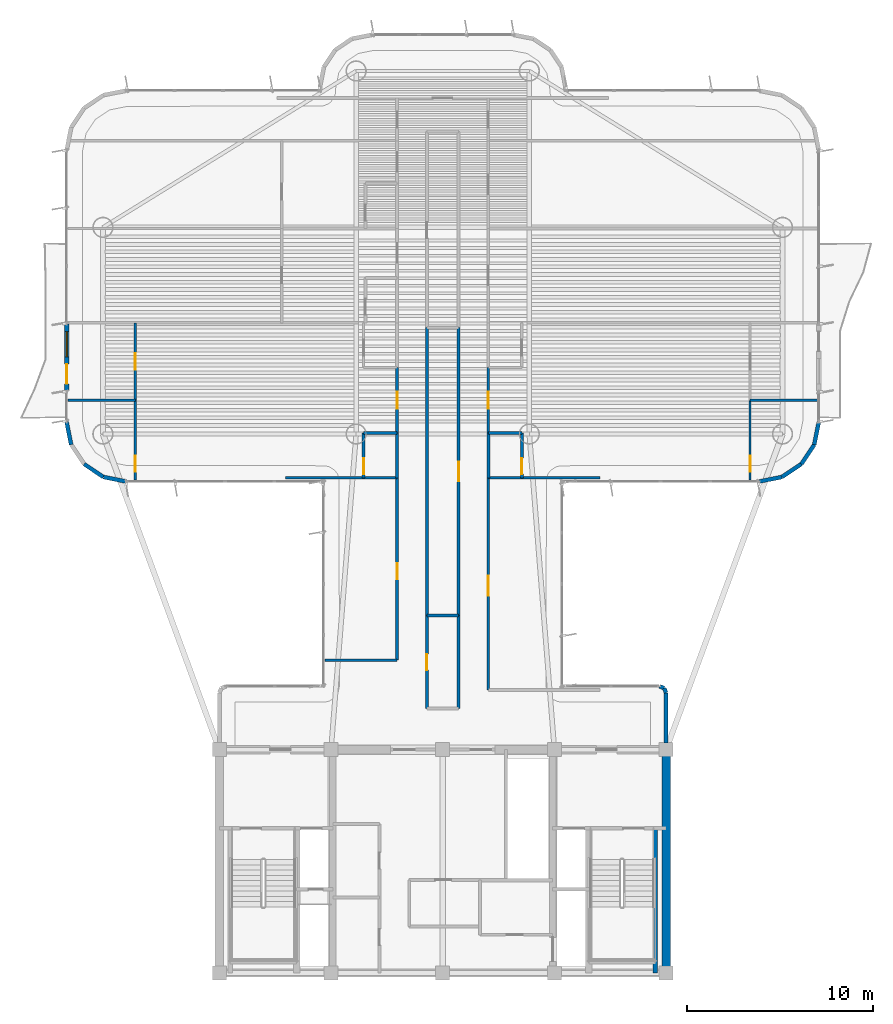
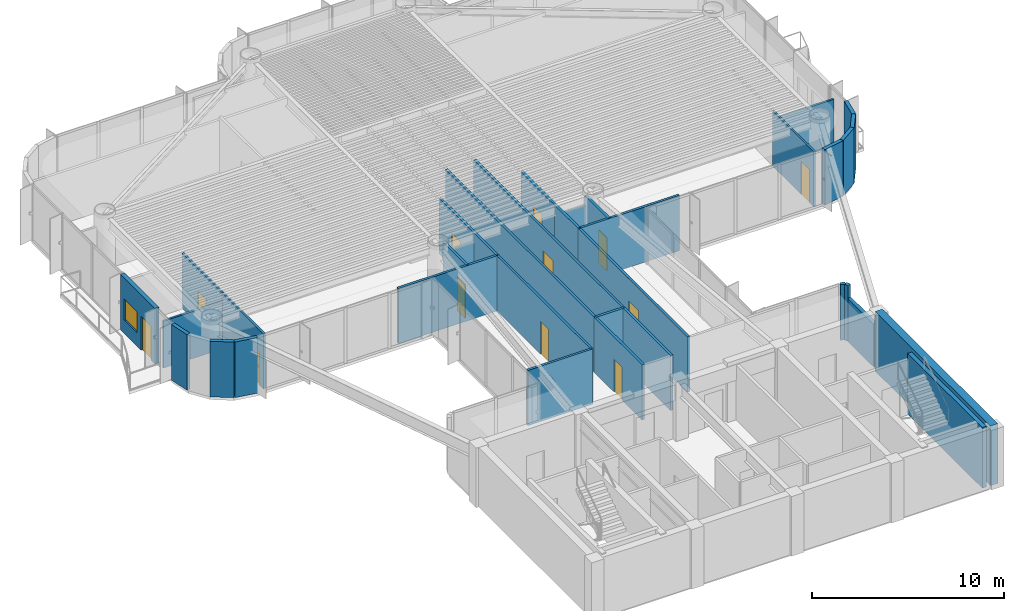
# One storey, part 10 of 14: 36 walls, 12 doors, 1 window, 13 openings.
"""IFC4 building model written with IfcOpenShell, lengths in metres."""

from ifc_helpers import new_model, si_unit, direction, frame, frame_2d, origin, origin_2d, place, context, subcontext, project, spatial, rectangle, extrude, source, transform, mapped, material, layer, layer_set, type_object, element, fill, save


model = new_model("IFC4")

# Units and contexts
model_context = context("Model", 3, precision=1e-05, world=origin(), true_north=direction((0.0, 1.0)))
body_context = subcontext(model_context, "Body", "Model", "MODEL_VIEW")
ifc_project = project(units=[si_unit("LENGTHUNIT", "METRE"), si_unit("AREAUNIT", "SQUARE_METRE"), si_unit("VOLUMEUNIT", "CUBIC_METRE"), si_unit("PLANEANGLEUNIT", "RADIAN"), si_unit("MASSUNIT", "GRAM", prefix="KILO")], contexts=[model_context])

# Site, building, storey
site_placement = place(None, origin())
site = spatial("IfcSite", under=ifc_project, at=site_placement, CompositionType="ELEMENT")
building_placement = place(site_placement, origin())
building = spatial("IfcBuilding", under=site, at=building_placement, Name="Brelvock Crest Care Tower", CompositionType="ELEMENT")
storey_placement = place(building_placement, frame((0.0, 0.0, 205.56005859375)))
storey = spatial("IfcBuildingStorey", under=building, at=storey_placement, Name="L52", CompositionType="ELEMENT", Elevation=205.56005859375)

# Walls
ifc_material_1 = material(Name="Concrete S65 (65 MPa)", Category="concrete")
ifc_layer_1 = layer(ifc_material_1, 0.449951171875, Name="WL-CS3")
ifc_layer_set_1 = layer_set([ifc_layer_1], Name="Concrete S65 (65 MPa)")
wall_type_1 = type_object("IfcWallType", Name="WL-CS3", PredefinedType="SHEAR", material=ifc_layer_set_1)
wall_1_placement = place(storey_placement, frame((48.0, 18.0, 0.0), z_axis=(0.0, 0.0, 1.0), x_axis=(0.0, -1.0, 0.0)))
element("IfcWall", 1, at=wall_1_placement, inside=storey, type_object=wall_type_1, Name="L52 Core East Shear Wall", PredefinedType="SHEAR", context=body_context, shape_type="SweptSolid", body=[
    extrude(rectangle(XDim=12.0, YDim=0.449951171875, at=frame_2d((6.0, 0.0))), origin(), (0.0, 0.0, 1.0), 3.780029296875),
])
ifc_material_2 = material(Name="Concrete S80 (80 MPa)", Category="concrete")
ifc_layer_2 = layer(ifc_material_2, 0.25, Name="WL-CS6")
ifc_layer_set_2 = layer_set([ifc_layer_2], Name="Concrete S80 (80 MPa)")
wall_type_2 = type_object("IfcWallType", Name="WL-CS6", PredefinedType="SHEAR", material=ifc_layer_set_2)
wall_2_placement = place(storey_placement, frame((47.419921875, 6.0, 0.0), z_axis=(0.0, 0.0, 1.0), x_axis=(0.0, 1.0, 0.0)))
element("IfcWall", 2, at=wall_2_placement, inside=storey, type_object=wall_type_2, Name="L52 Core Stair ST-2 East Shear Wall", PredefinedType="SHEAR", context=body_context, shape_type="SweptSolid", body=[
    extrude(rectangle(XDim=7.780029296875, YDim=0.25, at=frame_2d((3.89013671875, 0.0))), origin(), (0.0, 0.0, 1.0), 3.849853515625),
])

# Wall, openings, door, window
ifc_material_3 = material(Name="Precast concrete N40 (40 MPa)", Category="concrete")
ifc_layer_3 = layer(ifc_material_3, 0.239990234375, Name="WL-EX1")
ifc_layer_set_3 = layer_set([ifc_layer_3], Name="Precast concrete N40 (40 MPa)")
wall_type_3 = type_object("IfcWallType", Name="WL-EX1", PredefinedType="SOLIDWALL", material=ifc_layer_set_3)
wall_3_placement = place(storey_placement, frame((15.800048828125, 37.25, 0.0), z_axis=(0.0, 0.0, 1.0), x_axis=(0.0, 1.0, 0.0)))
wall_3 = element("IfcWall", 3, at=wall_3_placement, inside=storey, type_object=wall_type_3, Name="L52 Exterior Spandrel Wall WL-BAL-L52-W", PredefinedType="SOLIDWALL", context=body_context, shape_type="SweptSolid", body=[
    extrude(rectangle(XDim=3.60009765625, YDim=0.239990234375, at=frame_2d((1.800048828125, 0.0))), origin(), (0.0, 0.0, 1.0), 3.530029296875),
])
opening_1_placement = place(wall_3_placement, frame((0.39990234375, 0.0, 0.0)))
opening_1 = element("IfcOpeningElement", 4, at=opening_1_placement, cuts=wall_3, Name="Opening BD-1", PredefinedType="OPENING", context=body_context, shape_type="SweptSolid", body=[
    extrude(rectangle(XDim=1.050048828125, YDim=2.14990234375, at=origin_2d()), frame((0.52490234375, 0.1298828125, 1.074951171875), z_axis=(0.0, -1.0, 0.0), x_axis=(1.0, 0.0, 0.0)), (0.0, 0.0, 1.0), 0.260009765625),
])
opening_2_placement = place(wall_3_placement, frame((1.85009765625, 0.0, 0.85009765625)))
opening_2 = element("IfcOpeningElement", 5, at=opening_2_placement, cuts=wall_3, Name="Opening W-01", PredefinedType="OPENING", context=body_context, shape_type="SweptSolid", body=[
    extrude(rectangle(XDim=1.35009765625, YDim=1.35009765625, at=origin_2d()), frame((0.675048828125, 0.1298828125, 0.675048828125), z_axis=(0.0, -1.0, 0.0), x_axis=(1.0, 0.0, 0.0)), (0.0, 0.0, 1.0), 0.260009765625),
])
ifc_material_4 = material(Name="Dark Glass Double Glazed Low-E", Category="glass")
door_type_1 = type_object("IfcDoorType", Name="DR-BAL1", OperationType="NOTDEFINED", PredefinedType="DOOR", material=ifc_material_4)
shared_shape_1 = source(origin(), body_context, "Body", "SweptSolid", [
    extrude(rectangle(XDim=1.050048828125, YDim=2.14990234375, at=origin_2d()), frame((0.52490234375, 0.02490234375, 1.074951171875), z_axis=(0.0, -1.0, 0.0), x_axis=(1.0, 0.0, 0.0)), (0.0, 0.0, 1.0), 0.050048828125),
])
door_1_placement = place(opening_1_placement, origin())
door_1 = element("IfcDoor", 6, at=door_1_placement, inside=storey, type_object=door_type_1, Name="L52 W Wave Balcony Glazed Door", OperationType="SINGLE_SWING_LEFT", OverallHeight=2.14990234375, OverallWidth=1.050048828125, PredefinedType="DOOR", context=body_context, shape_type="MappedRepresentation", body=[
    mapped(shared_shape_1, transform((0.0, 0.0, 0.0), x_axis=(1.0, 0.0, 0.0), y_axis=(0.0, 1.0, 0.0), z_axis=(0.0, 0.0, 1.0), scale=1.0)),
])
fill(opening_1, door_1)
window_type = type_object("IfcWindowType", Name="WN-EX1", PartitioningType="SINGLE_PANEL", PredefinedType="WINDOW", material=ifc_material_4)
shared_shape_2 = source(origin(), body_context, "Body", "SweptSolid", [
    extrude(rectangle(XDim=1.35009765625, YDim=1.35009765625, at=origin_2d()), frame((0.675048828125, 0.030029296875, 0.675048828125), z_axis=(0.0, -1.0, 0.0), x_axis=(1.0, 0.0, 0.0)), (0.0, 0.0, 1.0), 0.06005859375),
])
window_placement = place(opening_2_placement, origin())
window = element("IfcWindow", 7, at=window_placement, inside=storey, type_object=window_type, Name="L52 W Suite Casement Window", OverallHeight=1.35009765625, OverallWidth=1.35009765625, PartitioningType="SINGLE_PANEL", PredefinedType="WINDOW", context=body_context, shape_type="MappedRepresentation", body=[
    mapped(shared_shape_2, transform((0.0, 0.0, 0.0), x_axis=(1.0, 0.0, 0.0), y_axis=(0.0, 1.0, 0.0), z_axis=(0.0, 0.0, 1.0), scale=1.0)),
])
fill(opening_2, window)

# Walls
ifc_layer_4 = layer(ifc_material_3, 0.215087890625, Name="WL-EX2")
ifc_layer_set_4 = layer_set([ifc_layer_4], Name="Precast concrete N40 (40 MPa)")
wall_type_4 = type_object("IfcWallType", Name="WL-EX2", PredefinedType="SOLIDWALL", material=ifc_layer_set_4)
wall_4_placement = place(storey_placement, frame((47.8974609375, 21.297607421875, 0.0), z_axis=(0.0, 0.0, 1.0), x_axis=(0.382673670509, -0.923883575944, 0.0)))
element("IfcWall", 8, at=wall_4_placement, inside=storey, type_object=wall_type_4, Name="L52 Rounded Corner Wall 00", PredefinedType="SOLIDWALL", context=body_context, shape_type="SweptSolid", body=[
    extrude(rectangle(XDim=0.26806640625, YDim=0.215087890625, at=frame_2d((0.134033203125, 0.0))), origin(), (0.0, 0.0, 1.0), 3.530029296875),
])
wall_5_placement = place(storey_placement, frame((48.0, 21.050048828125, 0.0), z_axis=(0.0, 0.0, 1.0), x_axis=(0.0, -1.0, 0.0)))
element("IfcWall", 9, at=wall_5_placement, inside=storey, type_object=wall_type_4, Name="L52 Rounded Corner Wall 01", PredefinedType="SOLIDWALL", context=body_context, shape_type="SweptSolid", body=[
    extrude(rectangle(XDim=2.695068359375, YDim=0.215087890625, at=frame_2d((1.34765625, 0.0))), origin(), (0.0, 0.0, 1.0), 2.718017578125),
])
for number, where, z_axis, x_axis, name in (
    (10, (19.0, 32.39990234375, 0.0), (0.0, 0.0, 1.0), (-0.980775717779, 0.195138390419, 0.0), "L52 Rounded Corner Wall 13"),
    (11, (17.775390625, 32.6435546875, 0.0), (0.0, 0.0, 1.0), (-0.831387912822, 0.555692485475, 0.0), "L52 Rounded Corner Wall 14"),
    (12, (16.043701171875, 34.37548828125, 0.0), (0.0, 0.0, 1.0), (-0.195138390419, 0.980775717779, 0.0), "L52 Rounded Corner Wall 16"),
    (13, (56.199951171875, 35.60009765625, 0.0), (0.0, 0.0, 1.0), (-0.195138390419, -0.980775717779, 0.0), "L52 Rounded Corner Wall 40"),
    (14, (55.956298828125, 34.37548828125, 0.0), (0.0, 0.0, 1.0), (-0.555557312883, -0.831478245117, 0.0), "L52 Rounded Corner Wall 41"),
    (15, (55.2626953125, 33.33740234375, 0.0), (0.0, 0.0, 1.0), (-0.831387912822, -0.555692485475, 0.0), "L52 Rounded Corner Wall 42"),
    (16, (54.224609375, 32.6435546875, 0.0), (0.0, 0.0, 1.0), (-0.980775717779, -0.195138390419, 0.0), "L52 Rounded Corner Wall 43"),
):
    element("IfcWall", number, at=place(storey_placement, frame(where, z_axis=z_axis, x_axis=x_axis)), inside=storey, type_object=wall_type_4, Name=name, PredefinedType="SOLIDWALL", context=body_context, shape_type="SweptSolid", body=[
        extrude(rectangle(XDim=1.24853515625, YDim=0.215087890625, at=frame_2d((0.624267578125, 0.0))), origin(), (0.0, 0.0, 1.0), 3.530029296875),
    ])
wall_6_placement = place(storey_placement, frame((47.64990234375, 21.39990234375, 0.0), z_axis=(0.0, 0.0, 1.0), x_axis=(0.924205486139, -0.381895560841, 0.0)))
element("IfcWall", 17, at=wall_6_placement, inside=storey, type_object=wall_type_4, Name="L52 Rounded Corner Wall 47", PredefinedType="SOLIDWALL", context=body_context, shape_type="SweptSolid", body=[
    extrude(rectangle(XDim=0.267822265625, YDim=0.215087890625, at=frame_2d((0.1337890625, 0.0))), origin(), (0.0, 0.0, 1.0), 3.530029296875),
])
ifc_material_5 = material(Name="Masonry Blockwork Acoustic Partition", Category="masonry")
ifc_layer_5 = layer(ifc_material_5, 0.14990234375, Name="WL-INT1")
ifc_layer_set_5 = layer_set([ifc_layer_5], Name="Masonry Blockwork Acoustic Partition")
wall_type_5 = type_object("IfcWallType", Name="WL-INT1", PredefinedType="PARTITIONING", material=ifc_layer_set_5)
wall_7_placement = place(storey_placement, frame((29.6796875, 22.800048828125, 0.0), z_axis=(0.0, 0.0, 1.0), x_axis=(1.0, 0.0, 0.0)))
element("IfcWall", 18, at=wall_7_placement, inside=storey, type_object=wall_type_5, Name="L52 Interior Wall WL-BX-L52-THRW-S", PredefinedType="PARTITIONING", context=body_context, shape_type="SweptSolid", body=[
    extrude(rectangle(XDim=3.870361328125, YDim=0.14990234375, at=frame_2d((1.93505859375, 0.0))), origin(), (0.0, 0.0, 1.0), 3.5),
])
wall_8_placement = place(storey_placement, frame((27.55712890625, 32.60009765625, 0.0), z_axis=(0.0, 0.0, 1.0), x_axis=(1.0, 0.0, 0.0)))
element("IfcWall", 19, at=wall_8_placement, inside=storey, type_object=wall_type_5, Name="L52 Interior Wall WL-BX-L52-FL-WF1-S2", PredefinedType="PARTITIONING", context=body_context, shape_type="SweptSolid", body=[
    extrude(rectangle(XDim=5.992919921875, YDim=0.14990234375, at=frame_2d((2.99658203125, 0.0))), origin(), (0.0, 0.0, 1.0), 3.5),
])
wall_9_placement = place(storey_placement, frame((38.449951171875, 32.60009765625, 0.0), z_axis=(0.0, 0.0, 1.0), x_axis=(1.0, 0.0, 0.0)))
element("IfcWall", 20, at=wall_9_placement, inside=storey, type_object=wall_type_5, Name="L52 Interior Wall WL-BX-L52-FL-EF1-S", PredefinedType="PARTITIONING", context=body_context, shape_type="SweptSolid", body=[
    extrude(rectangle(XDim=5.993408203125, YDim=0.14990234375, at=frame_2d((2.99658203125, 0.0))), origin(), (0.0, 0.0, 1.0), 3.5),
])

# Wall, opening, door
wall_10_placement = place(storey_placement, frame((33.550048828125, 22.800048828125, 0.0), z_axis=(0.0, 0.0, 1.0), x_axis=(0.0, 1.0, 0.0)))
wall_10 = element("IfcWall", 21, at=wall_10_placement, inside=storey, type_object=wall_type_5, Name="L52 Interior Wall WL-RM-L52-THRW", PredefinedType="PARTITIONING", context=body_context, shape_type="SweptSolid", body=[
    extrude(rectangle(XDim=9.800048828125, YDim=0.14990234375, at=frame_2d((4.89990234375, 0.0))), origin(), (0.0, 0.0, 1.0), 3.5),
])
opening_3_placement = place(wall_10_placement, frame((4.340087890625, 0.0, 0.0)))
opening_3 = element("IfcOpeningElement", 22, at=opening_3_placement, cuts=wall_10, Name="Opening ID-1", PredefinedType="OPENING", context=body_context, shape_type="SweptSolid", body=[
    extrude(rectangle(XDim=0.860107421875, YDim=2.10009765625, at=origin_2d()), frame((0.43017578125, 0.0849609375, 1.050048828125), z_axis=(0.0, -1.0, 0.0), x_axis=(1.0, 0.0, 0.0)), (0.0, 0.0, 1.0), 0.169921875),
])
ifc_material_6 = material(Name="Engineered Hardwood Timber", Category="wood")
door_type_2 = type_object("IfcDoorType", Name="DR-INT1", OperationType="NOTDEFINED", PredefinedType="DOOR", material=ifc_material_6)
shared_shape_3 = source(origin(), body_context, "Body", "SweptSolid", [
    extrude(rectangle(XDim=0.860107421875, YDim=2.10009765625, at=origin_2d()), frame((0.43017578125, 0.02490234375, 1.050048828125), z_axis=(0.0, -1.0, 0.0), x_axis=(1.0, 0.0, 0.0)), (0.0, 0.0, 1.0), 0.050048828125),
])
door_2_placement = place(opening_3_placement, origin())
door_2 = element("IfcDoor", 23, at=door_2_placement, inside=storey, type_object=door_type_2, Name="L52 Quiet Family Consultation Room Door THRW", OperationType="SINGLE_SWING_LEFT", OverallHeight=2.10009765625, OverallWidth=0.860107421875, PredefinedType="DOOR", context=body_context, shape_type="MappedRepresentation", body=[
    mapped(shared_shape_3, transform((0.0, 0.0, 0.0), x_axis=(1.0, 0.0, 0.0), y_axis=(0.0, 1.0, 0.0), z_axis=(0.0, 0.0, 1.0), scale=1.0)),
])
fill(opening_3, door_2)

wall_11_placement = place(storey_placement, frame((33.550048828125, 35.0, 0.0), z_axis=(0.0, 0.0, 1.0), x_axis=(0.0, 1.0, 0.0)))
wall_11 = element("IfcWall", 24, at=wall_11_placement, inside=storey, type_object=wall_type_5, Name="L52 Interior Wall WL-UENT-L52-WF1", PredefinedType="PARTITIONING", context=body_context, shape_type="SweptSolid", body=[
    extrude(rectangle(XDim=3.52587890625, YDim=0.14990234375, at=frame_2d((1.762939453125, 0.0))), origin(), (0.0, 0.0, 1.0), 3.5),
])
opening_4_placement = place(wall_11_placement, frame((1.302978515625, 0.0, 0.0)))
opening_4 = element("IfcOpeningElement", 25, at=opening_4_placement, cuts=wall_11, Name="Opening AD-1", PredefinedType="OPENING", context=body_context, shape_type="SweptSolid", body=[
    extrude(rectangle(XDim=0.919921875, YDim=2.10009765625, at=origin_2d()), frame((0.4599609375, 0.0849609375, 1.050048828125), z_axis=(0.0, -1.0, 0.0), x_axis=(1.0, 0.0, 0.0)), (0.0, 0.0, 1.0), 0.169921875),
])
door_type_3 = type_object("IfcDoorType", Name="DR-APT1", OperationType="NOTDEFINED", PredefinedType="DOOR", material=ifc_material_6)
shared_shape_4 = source(origin(), body_context, "Body", "SweptSolid", [
    extrude(rectangle(XDim=0.919921875, YDim=2.10009765625, at=origin_2d()), frame((0.4599609375, 0.02490234375, 1.050048828125), z_axis=(0.0, -1.0, 0.0), x_axis=(1.0, 0.0, 0.0)), (0.0, 0.0, 1.0), 0.050048828125),
])
door_3_placement = place(opening_4_placement, origin())
door_3 = element("IfcDoor", 26, at=door_3_placement, inside=storey, type_object=door_type_3, Name="L52 Apartment Entrance WF1", OperationType="SINGLE_SWING_LEFT", OverallHeight=2.10009765625, OverallWidth=0.919921875, PredefinedType="DOOR", context=body_context, shape_type="MappedRepresentation", body=[
    mapped(shared_shape_4, transform((0.0, 0.0, 0.0), x_axis=(1.0, 0.0, 0.0), y_axis=(0.0, 1.0, 0.0), z_axis=(0.0, 0.0, 1.0), scale=1.0)),
])
fill(opening_4, door_3)

# Wall
wall_12_placement = place(storey_placement, frame((35.14990234375, 25.199951171875, 0.0), z_axis=(0.0, 0.0, 1.0), x_axis=(0.0, 1.0, 0.0)))
element("IfcWall", 27, at=wall_12_placement, inside=storey, type_object=wall_type_5, Name="L52 Interior Wall WL-BX-L52-ISNS-W", PredefinedType="PARTITIONING", context=body_context, shape_type="SweptSolid", body=[
    extrude(rectangle(XDim=15.4599609375, YDim=0.14990234375, at=frame_2d((7.72998046875, 0.0))), origin(), (0.0, 0.0, 1.0), 3.5),
])

# Wall, opening, door
wall_13_placement = place(storey_placement, frame((36.85009765625, 25.199951171875, 0.0), z_axis=(0.0, 0.0, 1.0), x_axis=(0.0, 1.0, 0.0)))
wall_13 = element("IfcWall", 28, at=wall_13_placement, inside=storey, type_object=wall_type_5, Name="L52 Interior Wall WL-RM-L52-ISNS", PredefinedType="PARTITIONING", context=body_context, shape_type="SweptSolid", body=[
    extrude(rectangle(XDim=15.4599609375, YDim=0.14990234375, at=frame_2d((7.72998046875, 0.0))), origin(), (0.0, 0.0, 1.0), 3.5),
])
opening_5_placement = place(wall_13_placement, frame((7.205078125, 0.0, 0.0)))
opening_5 = element("IfcOpeningElement", 29, at=opening_5_placement, cuts=wall_13, Name="Opening CLD-1", PredefinedType="OPENING", context=body_context, shape_type="SweptSolid", body=[
    extrude(rectangle(XDim=1.050048828125, YDim=2.10009765625, at=origin_2d()), frame((0.52490234375, 0.0849609375, 1.050048828125), z_axis=(0.0, -1.0, 0.0), x_axis=(1.0, 0.0, 0.0)), (0.0, 0.0, 1.0), 0.169921875),
])
door_type_4 = type_object("IfcDoorType", Name="DR-CLN1", OperationType="NOTDEFINED", PredefinedType="DOOR", material=ifc_material_6)
shared_shape_5 = source(origin(), body_context, "Body", "SweptSolid", [
    extrude(rectangle(XDim=1.050048828125, YDim=2.10009765625, at=origin_2d()), frame((0.52490234375, 0.02490234375, 1.050048828125), z_axis=(0.0, -1.0, 0.0), x_axis=(1.0, 0.0, 0.0)), (0.0, 0.0, 1.0), 0.050048828125),
])
door_4_placement = place(opening_5_placement, origin())
door_4 = element("IfcDoor", 30, at=door_4_placement, inside=storey, type_object=door_type_4, Name="L52 Care Concierge and Triage Station Door ISNS", OperationType="SINGLE_SWING_LEFT", OverallHeight=2.10009765625, OverallWidth=1.050048828125, PredefinedType="DOOR", context=body_context, shape_type="MappedRepresentation", body=[
    mapped(shared_shape_5, transform((0.0, 0.0, 0.0), x_axis=(1.0, 0.0, 0.0), y_axis=(0.0, 1.0, 0.0), z_axis=(0.0, 0.0, 1.0), scale=1.0)),
])
fill(opening_5, door_4)

wall_14_placement = place(storey_placement, frame((38.449951171875, 21.199951171875, 0.0), z_axis=(0.0, 0.0, 1.0), x_axis=(0.0, 1.0, 0.0)))
wall_14 = element("IfcWall", 31, at=wall_14_placement, inside=storey, type_object=wall_type_5, Name="L52 Interior Wall WL-RM-L52-THRE", PredefinedType="PARTITIONING", context=body_context, shape_type="SweptSolid", body=[
    extrude(rectangle(XDim=11.400146484375, YDim=0.14990234375, at=frame_2d((5.7001953125, 0.0))), origin(), (0.0, 0.0, 1.0), 3.5),
])
opening_6_placement = place(wall_14_placement, frame((5.074951171875, 0.0, 0.0)))
opening_6 = element("IfcOpeningElement", 32, at=opening_6_placement, cuts=wall_14, Name="Opening CLD-1", PredefinedType="OPENING", context=body_context, shape_type="SweptSolid", body=[
    extrude(rectangle(XDim=1.050048828125, YDim=2.10009765625, at=origin_2d()), frame((0.52490234375, 0.0849609375, 1.050048828125), z_axis=(0.0, -1.0, 0.0), x_axis=(1.0, 0.0, 0.0)), (0.0, 0.0, 1.0), 0.169921875),
])
door_5_placement = place(opening_6_placement, origin())
door_5 = element("IfcDoor", 33, at=door_5_placement, inside=storey, type_object=door_type_4, Name="L52 Allied Health Therapy Room Door THRE", OperationType="SINGLE_SWING_LEFT", OverallHeight=2.10009765625, OverallWidth=1.050048828125, PredefinedType="DOOR", context=body_context, shape_type="MappedRepresentation", body=[
    mapped(shared_shape_5, transform((0.0, 0.0, 0.0), x_axis=(1.0, 0.0, 0.0), y_axis=(0.0, 1.0, 0.0), z_axis=(0.0, 0.0, 1.0), scale=1.0)),
])
fill(opening_6, door_5)

wall_15_placement = place(storey_placement, frame((38.449951171875, 35.0, 0.0), z_axis=(0.0, 0.0, 1.0), x_axis=(0.0, 1.0, 0.0)))
wall_15 = element("IfcWall", 34, at=wall_15_placement, inside=storey, type_object=wall_type_5, Name="L52 Interior Wall WL-UENT-L52-EF1", PredefinedType="PARTITIONING", context=body_context, shape_type="SweptSolid", body=[
    extrude(rectangle(XDim=3.52587890625, YDim=0.14990234375, at=frame_2d((1.762939453125, 0.0))), origin(), (0.0, 0.0, 1.0), 3.5),
])
opening_7_placement = place(wall_15_placement, frame((1.302978515625, 0.0, 0.0)))
opening_7 = element("IfcOpeningElement", 35, at=opening_7_placement, cuts=wall_15, Name="Opening AD-1", PredefinedType="OPENING", context=body_context, shape_type="SweptSolid", body=[
    extrude(rectangle(XDim=0.919921875, YDim=2.10009765625, at=origin_2d()), frame((0.4599609375, 0.0849609375, 1.050048828125), z_axis=(0.0, -1.0, 0.0), x_axis=(1.0, 0.0, 0.0)), (0.0, 0.0, 1.0), 0.169921875),
])
door_6_placement = place(opening_7_placement, origin())
door_6 = element("IfcDoor", 36, at=door_6_placement, inside=storey, type_object=door_type_3, Name="L52 Apartment Entrance EF1", OperationType="SINGLE_SWING_LEFT", OverallHeight=2.10009765625, OverallWidth=0.919921875, PredefinedType="DOOR", context=body_context, shape_type="MappedRepresentation", body=[
    mapped(shared_shape_4, transform((0.0, 0.0, 0.0), x_axis=(1.0, 0.0, 0.0), y_axis=(0.0, 1.0, 0.0), z_axis=(0.0, 0.0, 1.0), scale=1.0)),
])
fill(opening_7, door_6)

# Walls
ifc_material_7 = material(Name="Gypsum Plasterboard Partition", Category="gypsum")
ifc_layer_6 = layer(ifc_material_7, 0.1201171875, Name="WL-INT2")
ifc_layer_set_6 = layer_set([ifc_layer_6], Name="Gypsum Plasterboard Partition")
wall_type_6 = type_object("IfcWallType", Name="WL-INT2", PredefinedType="PARTITIONING", material=ifc_layer_set_6)
for number, where, z_axis, x_axis, name in (
    (37, (15.8798828125, 36.762939453125, 0.0), (0.0, 0.0, 1.0), (1.0, 0.0, 0.0), "L52 Interior Wall WL-UBSP-L52-WF1"),
    (38, (52.510009765625, 36.762939453125, 0.0), (0.0, 0.0, 1.0), (1.0, 0.0, 0.0), "L52 Interior Wall WL-UBSP-L52-EF1"),
):
    element("IfcWall", number, at=place(storey_placement, frame(where, z_axis=z_axis, x_axis=x_axis)), inside=storey, type_object=wall_type_6, Name=name, PredefinedType="PARTITIONING", context=body_context, shape_type="SweptSolid", body=[
        extrude(rectangle(XDim=3.610107421875, YDim=0.1201171875, at=frame_2d((1.80517578125, 0.0))), origin(), (0.0, 0.0, 1.0), 2.98193359375),
    ])

# Wall, opening, door
wall_16_placement = place(storey_placement, frame((19.489990234375, 32.47998046875, 0.0), z_axis=(0.0, 0.0, 1.0), x_axis=(0.0, 1.0, 0.0)))
wall_16 = element("IfcWall", 39, at=wall_16_placement, inside=storey, type_object=wall_type_6, Name="L52 Interior Wall WL-UBD1-L52-WF1", PredefinedType="PARTITIONING", context=body_context, shape_type="SweptSolid", body=[
    extrude(rectangle(XDim=4.282958984375, YDim=0.1201171875, at=frame_2d((2.1416015625, 0.0))), origin(), (0.0, 0.0, 1.0), 3.5),
])
opening_8_placement = place(wall_16_placement, frame((0.431884765625, 0.0, 0.0)))
opening_8 = element("IfcOpeningElement", 40, at=opening_8_placement, cuts=wall_16, Name="Opening ID-1", PredefinedType="OPENING", context=body_context, shape_type="SweptSolid", body=[
    extrude(rectangle(XDim=0.860107421875, YDim=2.10009765625, at=origin_2d()), frame((0.43017578125, 0.070068359375, 1.050048828125), z_axis=(0.0, -1.0, 0.0), x_axis=(1.0, 0.0, 0.0)), (0.0, 0.0, 1.0), 0.14013671875),
])
door_7_placement = place(opening_8_placement, origin())
door_7 = element("IfcDoor", 41, at=door_7_placement, inside=storey, type_object=door_type_2, Name="L52 Primary Bedroom Door WF1", OperationType="SINGLE_SWING_RIGHT", OverallHeight=2.10009765625, OverallWidth=0.860107421875, PredefinedType="DOOR", context=body_context, shape_type="MappedRepresentation", body=[
    mapped(shared_shape_3, transform((0.0, 0.0, 0.0), x_axis=(1.0, 0.0, 0.0), y_axis=(0.0, 1.0, 0.0), z_axis=(0.0, 0.0, 1.0), scale=1.0)),
])
fill(opening_8, door_7)

wall_17_placement = place(storey_placement, frame((19.489990234375, 36.762939453125, 0.0), z_axis=(0.0, 0.0, 1.0), x_axis=(0.0, 1.0, 0.0)))
wall_17 = element("IfcWall", 42, at=wall_17_placement, inside=storey, type_object=wall_type_6, Name="L52 Interior Wall WL-UBD2-L52-WF1", PredefinedType="PARTITIONING", context=body_context, shape_type="SweptSolid", body=[
    extrude(rectangle(XDim=4.1630859375, YDim=0.1201171875, at=frame_2d((2.08154296875, 0.0))), origin(), (0.0, 0.0, 1.0), 3.5),
])
opening_9_placement = place(wall_17_placement, frame((1.652099609375, 0.0, 0.0)))
opening_9 = element("IfcOpeningElement", 43, at=opening_9_placement, cuts=wall_17, Name="Opening ID-1", PredefinedType="OPENING", context=body_context, shape_type="SweptSolid", body=[
    extrude(rectangle(XDim=0.860107421875, YDim=2.10009765625, at=origin_2d()), frame((0.43017578125, 0.070068359375, 1.050048828125), z_axis=(0.0, -1.0, 0.0), x_axis=(1.0, 0.0, 0.0)), (0.0, 0.0, 1.0), 0.14013671875),
])
door_8_placement = place(opening_9_placement, origin())
door_8 = element("IfcDoor", 44, at=door_8_placement, inside=storey, type_object=door_type_2, Name="L52 Second Room Door WF1", OperationType="SINGLE_SWING_LEFT", OverallHeight=2.10009765625, OverallWidth=0.860107421875, PredefinedType="DOOR", context=body_context, shape_type="MappedRepresentation", body=[
    mapped(shared_shape_3, transform((0.0, 0.0, 0.0), x_axis=(1.0, 0.0, 0.0), y_axis=(0.0, 1.0, 0.0), z_axis=(0.0, 0.0, 1.0), scale=1.0)),
])
fill(opening_9, door_8)

wall_18_placement = place(storey_placement, frame((52.510009765625, 32.47998046875, 0.0), z_axis=(0.0, 0.0, 1.0), x_axis=(0.0, 1.0, 0.0)))
wall_18 = element("IfcWall", 45, at=wall_18_placement, inside=storey, type_object=wall_type_6, Name="L52 Interior Wall WL-UBD1-L52-EF1", PredefinedType="PARTITIONING", context=body_context, shape_type="SweptSolid", body=[
    extrude(rectangle(XDim=4.282958984375, YDim=0.1201171875, at=frame_2d((2.1416015625, 0.0))), origin(), (0.0, 0.0, 1.0), 3.5),
])
opening_10_placement = place(wall_18_placement, frame((0.431884765625, 0.0, 0.0)))
opening_10 = element("IfcOpeningElement", 46, at=opening_10_placement, cuts=wall_18, Name="Opening ID-1", PredefinedType="OPENING", context=body_context, shape_type="SweptSolid", body=[
    extrude(rectangle(XDim=0.860107421875, YDim=2.10009765625, at=origin_2d()), frame((0.43017578125, 0.070068359375, 1.050048828125), z_axis=(0.0, -1.0, 0.0), x_axis=(1.0, 0.0, 0.0)), (0.0, 0.0, 1.0), 0.14013671875),
])
door_9_placement = place(opening_10_placement, origin())
door_9 = element("IfcDoor", 47, at=door_9_placement, inside=storey, type_object=door_type_2, Name="L52 Primary Bedroom Door EF1", OperationType="SINGLE_SWING_RIGHT", OverallHeight=2.10009765625, OverallWidth=0.860107421875, PredefinedType="DOOR", context=body_context, shape_type="MappedRepresentation", body=[
    mapped(shared_shape_3, transform((0.0, 0.0, 0.0), x_axis=(1.0, 0.0, 0.0), y_axis=(0.0, 1.0, 0.0), z_axis=(0.0, 0.0, 1.0), scale=1.0)),
])
fill(opening_10, door_9)

# Walls
ifc_layer_7 = layer(ifc_material_7, 0.159912109375, Name="WL-PLM1")
ifc_layer_set_7 = layer_set([ifc_layer_7], Name="Gypsum Plasterboard Partition")
wall_type_7 = type_object("IfcWallType", Name="WL-PLM1", PredefinedType="PLUMBINGWALL", material=ifc_layer_set_7)
wall_19_placement = place(storey_placement, frame((35.14990234375, 25.199951171875, 0.0), z_axis=(0.0, 0.0, 1.0), x_axis=(1.0, 0.0, 0.0)))
element("IfcWall", 48, at=wall_19_placement, inside=storey, type_object=wall_type_7, Name="L52 Interior Wall WL-BX-L52-ISNS-S", PredefinedType="PLUMBINGWALL", context=body_context, shape_type="SweptSolid", body=[
    extrude(rectangle(XDim=1.7001953125, YDim=0.159912109375, at=frame_2d((0.85009765625, 0.0))), origin(), (0.0, 0.0, 1.0), 3.5),
])
for number, where, z_axis, x_axis, name in (
    (49, (31.75, 35.0, 0.0), (0.0, 0.0, 1.0), (1.0, 0.0, 0.0), "L52 Interior Wall WL-UBTH2-L52-WF1"),
    (50, (38.449951171875, 35.0, 0.0), (0.0, 0.0, 1.0), (1.0, 0.0, 0.0), "L52 Interior Wall WL-UBTH2-L52-EF1"),
):
    element("IfcWall", number, at=place(storey_placement, frame(where, z_axis=z_axis, x_axis=x_axis)), inside=storey, type_object=wall_type_7, Name=name, PredefinedType="PLUMBINGWALL", context=body_context, shape_type="SweptSolid", body=[
        extrude(rectangle(XDim=1.800048828125, YDim=0.159912109375, at=frame_2d((0.89990234375, 0.0))), origin(), (0.0, 0.0, 1.0), 2.90283203125),
    ])

# Wall, opening, door
wall_20_placement = place(storey_placement, frame((31.75, 32.60009765625, 0.0), z_axis=(0.0, 0.0, 1.0), x_axis=(0.0, 1.0, 0.0)))
wall_20 = element("IfcWall", 51, at=wall_20_placement, inside=storey, type_object=wall_type_7, Name="L52 Interior Wall WL-UBTH1-L52-WF1", PredefinedType="PLUMBINGWALL", context=body_context, shape_type="SweptSolid", body=[
    extrude(rectangle(XDim=2.39990234375, YDim=0.159912109375, at=frame_2d((1.199951171875, 0.0))), origin(), (0.0, 0.0, 1.0), 3.5),
])
opening_11_placement = place(wall_20_placement, frame((0.199951171875, 0.0, 0.0)))
opening_11 = element("IfcOpeningElement", 52, at=opening_11_placement, cuts=wall_20, Name="Opening WD-1", PredefinedType="OPENING", context=body_context, shape_type="SweptSolid", body=[
    extrude(rectangle(XDim=0.860107421875, YDim=2.10009765625, at=origin_2d()), frame((0.43017578125, 0.08984375, 1.050048828125), z_axis=(0.0, -1.0, 0.0), x_axis=(1.0, 0.0, 0.0)), (0.0, 0.0, 1.0), 0.179931640625),
])
door_type_5 = type_object("IfcDoorType", Name="DR-WC1", OperationType="NOTDEFINED", PredefinedType="DOOR", material=ifc_material_6)
shared_shape_6 = source(origin(), body_context, "Body", "SweptSolid", [
    extrude(rectangle(XDim=0.860107421875, YDim=2.10009765625, at=origin_2d()), frame((0.43017578125, 0.02490234375, 1.050048828125), z_axis=(0.0, -1.0, 0.0), x_axis=(1.0, 0.0, 0.0)), (0.0, 0.0, 1.0), 0.050048828125),
])
door_10_placement = place(opening_11_placement, origin())
door_10 = element("IfcDoor", 53, at=door_10_placement, inside=storey, type_object=door_type_5, Name="L52 Bathroom Door WF1", OperationType="SINGLE_SWING_LEFT", OverallHeight=2.10009765625, OverallWidth=0.860107421875, PredefinedType="DOOR", context=body_context, shape_type="MappedRepresentation", body=[
    mapped(shared_shape_6, transform((0.0, 0.0, 0.0), x_axis=(1.0, 0.0, 0.0), y_axis=(0.0, 1.0, 0.0), z_axis=(0.0, 0.0, 1.0), scale=1.0)),
])
fill(opening_11, door_10)

# Wall
wall_21_placement = place(storey_placement, frame((33.550048828125, 32.60009765625, 0.0), z_axis=(0.0, 0.0, 1.0), x_axis=(0.0, 1.0, 0.0)))
element("IfcWall", 54, at=wall_21_placement, inside=storey, type_object=wall_type_7, Name="L52 Interior Wall WL-UCB-L52-WF1", PredefinedType="PLUMBINGWALL", context=body_context, shape_type="SweptSolid", body=[
    extrude(rectangle(XDim=2.39990234375, YDim=0.159912109375, at=frame_2d((1.199951171875, 0.0))), origin(), (0.0, 0.0, 1.0), 3.5),
])

# Wall, opening, door
wall_22_placement = place(storey_placement, frame((35.14990234375, 20.199951171875, 0.0), z_axis=(0.0, 0.0, 1.0), x_axis=(0.0, 1.0, 0.0)))
wall_22 = element("IfcWall", 55, at=wall_22_placement, inside=storey, type_object=wall_type_7, Name="L52 Interior Wall WL-RM-L52-ISWC", PredefinedType="PLUMBINGWALL", context=body_context, shape_type="SweptSolid", body=[
    extrude(rectangle(XDim=5.0, YDim=0.159912109375, at=frame_2d((2.5, 0.0))), origin(), (0.0, 0.0, 1.0), 3.5),
])
opening_12_placement = place(wall_22_placement, frame((2.070068359375, 0.0, 0.0)))
opening_12 = element("IfcOpeningElement", 56, at=opening_12_placement, cuts=wall_22, Name="Opening WD-1", PredefinedType="OPENING", context=body_context, shape_type="SweptSolid", body=[
    extrude(rectangle(XDim=0.860107421875, YDim=2.10009765625, at=origin_2d()), frame((0.43017578125, 0.08984375, 1.050048828125), z_axis=(0.0, -1.0, 0.0), x_axis=(1.0, 0.0, 0.0)), (0.0, 0.0, 1.0), 0.179931640625),
])
door_11_placement = place(opening_12_placement, origin())
door_11 = element("IfcDoor", 57, at=door_11_placement, inside=storey, type_object=door_type_5, Name="L52 High-Zone Accessible WC Door ISWC", OperationType="SINGLE_SWING_LEFT", OverallHeight=2.10009765625, OverallWidth=0.860107421875, PredefinedType="DOOR", context=body_context, shape_type="MappedRepresentation", body=[
    mapped(shared_shape_6, transform((0.0, 0.0, 0.0), x_axis=(1.0, 0.0, 0.0), y_axis=(0.0, 1.0, 0.0), z_axis=(0.0, 0.0, 1.0), scale=1.0)),
])
fill(opening_12, door_11)

# Walls
wall_23_placement = place(storey_placement, frame((36.85009765625, 20.199951171875, 0.0), z_axis=(0.0, 0.0, 1.0), x_axis=(0.0, 1.0, 0.0)))
element("IfcWall", 58, at=wall_23_placement, inside=storey, type_object=wall_type_7, Name="L52 Interior Wall WL-BX-L52-ISWC-E", PredefinedType="PLUMBINGWALL", context=body_context, shape_type="SweptSolid", body=[
    extrude(rectangle(XDim=5.0, YDim=0.159912109375, at=frame_2d((2.5, 0.0))), origin(), (0.0, 0.0, 1.0), 3.5),
])
wall_24_placement = place(storey_placement, frame((38.449951171875, 32.60009765625, 0.0), z_axis=(0.0, 0.0, 1.0), x_axis=(0.0, 1.0, 0.0)))
element("IfcWall", 59, at=wall_24_placement, inside=storey, type_object=wall_type_7, Name="L52 Interior Wall WL-UCB-L52-EF1", PredefinedType="PLUMBINGWALL", context=body_context, shape_type="SweptSolid", body=[
    extrude(rectangle(XDim=2.39990234375, YDim=0.159912109375, at=frame_2d((1.199951171875, 0.0))), origin(), (0.0, 0.0, 1.0), 3.5),
])

# Wall, opening, door
wall_25_placement = place(storey_placement, frame((40.25, 32.60009765625, 0.0), z_axis=(0.0, 0.0, 1.0), x_axis=(0.0, 1.0, 0.0)))
wall_25 = element("IfcWall", 60, at=wall_25_placement, inside=storey, type_object=wall_type_7, Name="L52 Interior Wall WL-UBTH1-L52-EF1", PredefinedType="PLUMBINGWALL", context=body_context, shape_type="SweptSolid", body=[
    extrude(rectangle(XDim=2.39990234375, YDim=0.159912109375, at=frame_2d((1.199951171875, 0.0))), origin(), (0.0, 0.0, 1.0), 3.5),
])
opening_13_placement = place(wall_25_placement, frame((0.199951171875, 0.0, 0.0)))
opening_13 = element("IfcOpeningElement", 61, at=opening_13_placement, cuts=wall_25, Name="Opening WD-1", PredefinedType="OPENING", context=body_context, shape_type="SweptSolid", body=[
    extrude(rectangle(XDim=0.860107421875, YDim=2.10009765625, at=origin_2d()), frame((0.43017578125, 0.08984375, 1.050048828125), z_axis=(0.0, -1.0, 0.0), x_axis=(1.0, 0.0, 0.0)), (0.0, 0.0, 1.0), 0.179931640625),
])
door_12_placement = place(opening_13_placement, origin())
door_12 = element("IfcDoor", 62, at=door_12_placement, inside=storey, type_object=door_type_5, Name="L52 Bathroom Door EF1", OperationType="SINGLE_SWING_LEFT", OverallHeight=2.10009765625, OverallWidth=0.860107421875, PredefinedType="DOOR", context=body_context, shape_type="MappedRepresentation", body=[
    mapped(shared_shape_6, transform((0.0, 0.0, 0.0), x_axis=(1.0, 0.0, 0.0), y_axis=(0.0, 1.0, 0.0), z_axis=(0.0, 0.0, 1.0), scale=1.0)),
])
fill(opening_13, door_12)

save(model, "model.ifc")
